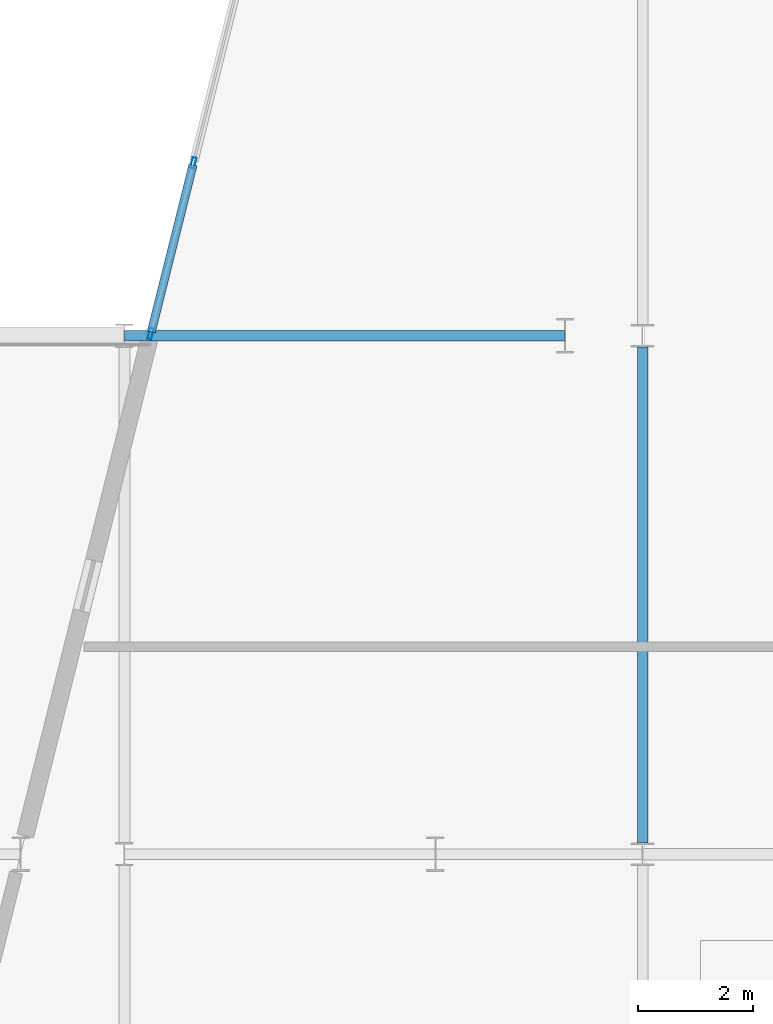
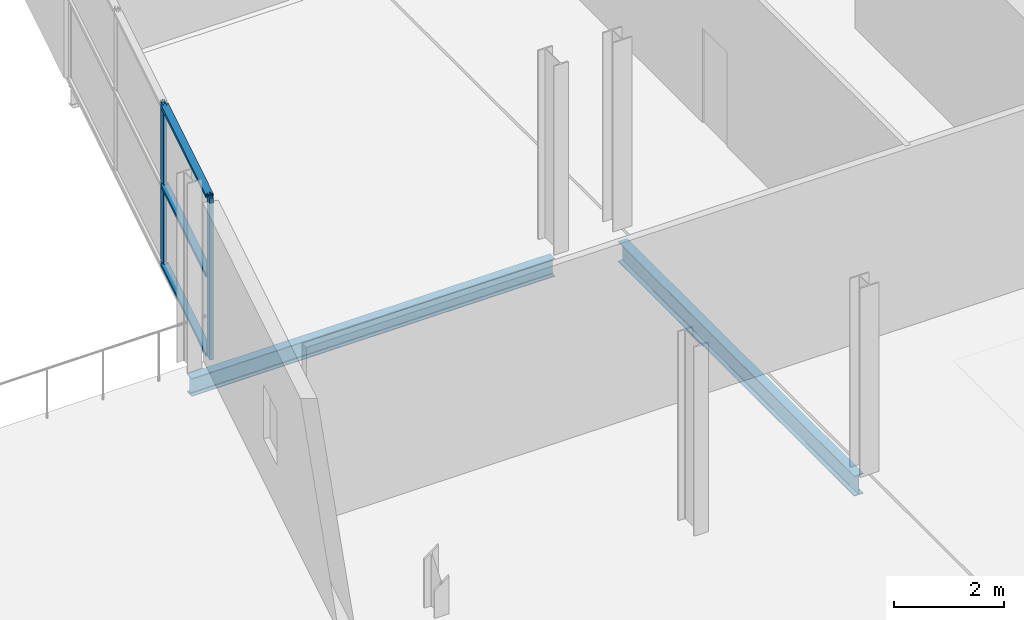
# One storey, part 12 of 59: 5 members, 2 beams, 1 element without a shape of its own.
"""IFC4 building model written with IfcOpenShell, lengths in metres."""

from ifc_helpers import new_model, si_unit, direction, frame, origin, origin_2d, place, context, subcontext, project, spatial, hollow_rectangle, i_section, extrude, material, layer, layer_set, material_profile, profile_set, type_object, element, aggregate, save


model = new_model("IFC4")

# Units and contexts
model_context = context("Model", 3, precision=1e-05, world=origin(), true_north=direction((0.0, 1.0)))
body_context = subcontext(model_context, "Body", "Model", "MODEL_VIEW")
ifc_project = project(units=[si_unit("LENGTHUNIT", "METRE"), si_unit("AREAUNIT", "SQUARE_METRE"), si_unit("VOLUMEUNIT", "CUBIC_METRE"), si_unit("PLANEANGLEUNIT", "RADIAN"), si_unit("MASSUNIT", "GRAM", prefix="KILO")], contexts=[model_context])

# Site, building, storey
site_placement = place(None, origin())
site = spatial("IfcSite", under=ifc_project, at=site_placement, CompositionType="ELEMENT")
building_placement = place(site_placement, origin())
building = spatial("IfcBuilding", under=site, at=building_placement, Name="Deido Ridge Mobility Hub", CompositionType="ELEMENT")
storey_placement = place(building_placement, frame((0.0, 0.0, 21.0)))
storey = spatial("IfcBuildingStorey", under=building, at=storey_placement, Name="L05", CompositionType="ELEMENT", Elevation=21.0)

# Beams
ifc_material_1 = material(Name="Steel S355J2 EN 10025-2", Category="steel")
ifc_material_profile_1 = material_profile(ifc_material_1, i_section(OverallWidth=0.179931640625, OverallDepth=0.39990234375, WebThickness=0.008544921875, FlangeThickness=0.013427734375, FilletRadius=0.02099609375, at=origin_2d()), Name="IPE 400")
ifc_profile_set_1 = profile_set([ifc_material_profile_1], Name="Steel S355J2 EN 10025-2")
beam_type_1 = type_object("IfcBeamType", Name="BM-IPE400", PredefinedType="BEAM", material=ifc_profile_set_1)
beam_1_placement = place(storey_placement, frame((135.0068359375, 27.0, -0.445068359375), z_axis=(1.0, 0.0, 0.0), x_axis=(0.0, 1.0, 0.0)))
element("IfcBeam", 1, at=beam_1_placement, inside=storey, type_object=beam_type_1, Name="Floor beam B5", PredefinedType="BEAM", context=body_context, shape_type="SweptSolid", body=[
    extrude(i_section(OverallWidth=0.179931640625, OverallDepth=0.39990234375, WebThickness=0.008544921875, FlangeThickness=0.013427734375, FilletRadius=0.02099609375, at=origin_2d()), origin(), (0.0, 0.0, 1.0), 7.635498046875),
])
ifc_material_profile_2 = material_profile(ifc_material_1, i_section(OverallWidth=0.18994140625, OverallDepth=0.449951171875, WebThickness=0.009521484375, FlangeThickness=0.0146484375, FilletRadius=0.02099609375, at=origin_2d()), Name="IPE 450")
ifc_profile_set_2 = profile_set([ifc_material_profile_2], Name="Steel S355J2 EN 10025-2")
beam_type_2 = type_object("IfcBeamType", Name="BM-IPE450", PredefinedType="BEAM", material=ifc_profile_set_2)
beam_2_placement = place(storey_placement, frame((144.0, 18.196533203125, -0.469970703125), z_axis=(0.0, 1.0, 0.0), x_axis=(-1.0, 0.0, 0.0)))
element("IfcBeam", 2, at=beam_2_placement, inside=storey, type_object=beam_type_2, Name="Floor beam B4", PredefinedType="BEAM", context=body_context, shape_type="SweptSolid", body=[
    extrude(i_section(OverallWidth=0.18994140625, OverallDepth=0.449951171875, WebThickness=0.009521484375, FlangeThickness=0.0146484375, FilletRadius=0.02099609375, at=origin_2d()), origin(), (0.0, 0.0, 1.0), 8.60693359375),
])

# Curtain wall, members
ifc_material_2 = material(Name="Anodised aluminium EN AW-6063 T6", Category="aluminium")
ifc_layer = layer(ifc_material_2, 0.239990234375, Name="Anodised aluminium EN AW-6063 T6")
ifc_layer_set = layer_set([ifc_layer], Name="Anodised aluminium EN AW-6063 T6")
curtain_wall_type = type_object("IfcCurtainWallType", Name="CW-UF-6", PredefinedType="USERDEFINED", material=ifc_layer_set)
curtain_wall_placement = place(storey_placement, origin())
curtain_wall = element("IfcCurtainWall", 3, at=curtain_wall_placement, inside=storey, type_object=curtain_wall_type, Name="Unitised curtain wall CW6", ObjectType="UNITISED FACADE", PredefinedType="USERDEFINED")
ifc_material_profile_3 = material_profile(ifc_material_2, hollow_rectangle(XDim=0.070068359375, YDim=0.18994140625, WallThickness=0.00390625, at=origin_2d()), Name="RHS 70x190x4")
ifc_profile_set_3 = profile_set([ifc_material_profile_3], Name="Anodised aluminium EN AW-6063 T6")
member_type_1 = type_object("IfcMemberType", Name="MEM-MUL-70X190", PredefinedType="MULLION", material=ifc_profile_set_3)
member_1_placement = place(storey_placement, frame((135.45849609375, 27.033935546875, 0.0), z_axis=(0.0, 0.0, 1.0), x_axis=(-0.970142500145, 0.242535625038, 0.0)))
member_1 = element("IfcMember", 4, at=member_1_placement, type_object=member_type_1, Name="CW6 mullion 1", PredefinedType="MULLION", context=body_context, shape_type="SweptSolid", body=[
    extrude(hollow_rectangle(XDim=0.070068359375, YDim=0.18994140625, WallThickness=0.00390625, at=origin_2d()), origin(), (0.0, 0.0, 1.0), 3.60009765625),
])
member_2_placement = place(storey_placement, frame((136.199951171875, 30.0, 0.0), z_axis=(0.0, 0.0, 1.0), x_axis=(-0.970142500145, 0.242535625038, 0.0)))
member_2 = element("IfcMember", 5, at=member_2_placement, type_object=member_type_1, Name="CW6 mullion 2", PredefinedType="MULLION", context=body_context, shape_type="SweptSolid", body=[
    extrude(hollow_rectangle(XDim=0.070068359375, YDim=0.18994140625, WallThickness=0.00390625, at=origin_2d()), origin(), (0.0, 0.0, 1.0), 3.60009765625),
])
ifc_material_profile_4 = material_profile(ifc_material_2, hollow_rectangle(XDim=0.14501953125, YDim=0.070068359375, WallThickness=0.00390625, at=origin_2d()), Name="RHS 145x70x4")
ifc_profile_set_4 = profile_set([ifc_material_profile_4], Name="Anodised aluminium EN AW-6063 T6")
member_type_2 = type_object("IfcMemberType", Name="MEM-TRN-145X70", PredefinedType="USERDEFINED", material=ifc_profile_set_4)
member_3_placement = place(storey_placement, frame((135.467041015625, 27.06787109375, 0.034912109375), z_axis=(0.242477936405, 0.970156920481, 0.0), x_axis=(-0.970156920481, 0.242477936405, 0.0)))
member_3 = element("IfcMember", 6, at=member_3_placement, type_object=member_type_2, Name="CW6 transom 1.1", ObjectType="TRANSOM", PredefinedType="USERDEFINED", context=body_context, shape_type="SweptSolid", body=[
    extrude(hollow_rectangle(XDim=0.14501953125, YDim=0.070068359375, WallThickness=0.00390625, at=origin_2d()), origin(), (0.0, 0.0, 1.0), 2.9873046875),
])
member_4_placement = place(storey_placement, frame((135.467041015625, 27.06787109375, 1.800048828125), z_axis=(0.242477936405, 0.970156920481, 0.0), x_axis=(-0.970156920481, 0.242477936405, 0.0)))
member_4 = element("IfcMember", 7, at=member_4_placement, type_object=member_type_2, Name="CW6 transom 1.2", ObjectType="TRANSOM", PredefinedType="USERDEFINED", context=body_context, shape_type="SweptSolid", body=[
    extrude(hollow_rectangle(XDim=0.14501953125, YDim=0.070068359375, WallThickness=0.00390625, at=origin_2d()), origin(), (0.0, 0.0, 1.0), 2.9873046875),
])
member_5_placement = place(storey_placement, frame((135.467041015625, 27.06787109375, 3.56494140625), z_axis=(0.242477936405, 0.970156920481, 0.0), x_axis=(-0.970156920481, 0.242477936405, 0.0)))
member_5 = element("IfcMember", 8, at=member_5_placement, type_object=member_type_2, Name="CW6 transom 1.3", ObjectType="TRANSOM", PredefinedType="USERDEFINED", context=body_context, shape_type="SweptSolid", body=[
    extrude(hollow_rectangle(XDim=0.14501953125, YDim=0.070068359375, WallThickness=0.00390625, at=origin_2d()), origin(), (0.0, 0.0, 1.0), 2.9873046875),
])
aggregate(curtain_wall, [member_1, member_2, member_3, member_4, member_5])

save(model, "model.ifc")
